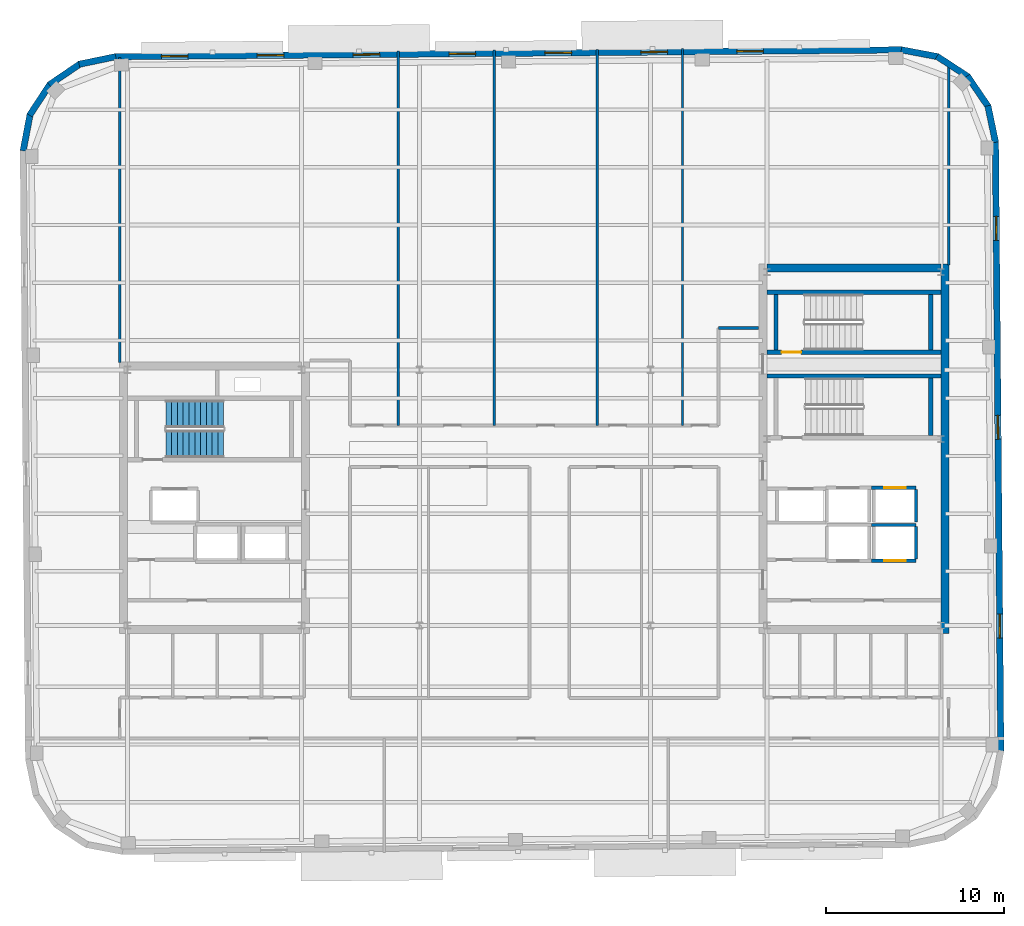
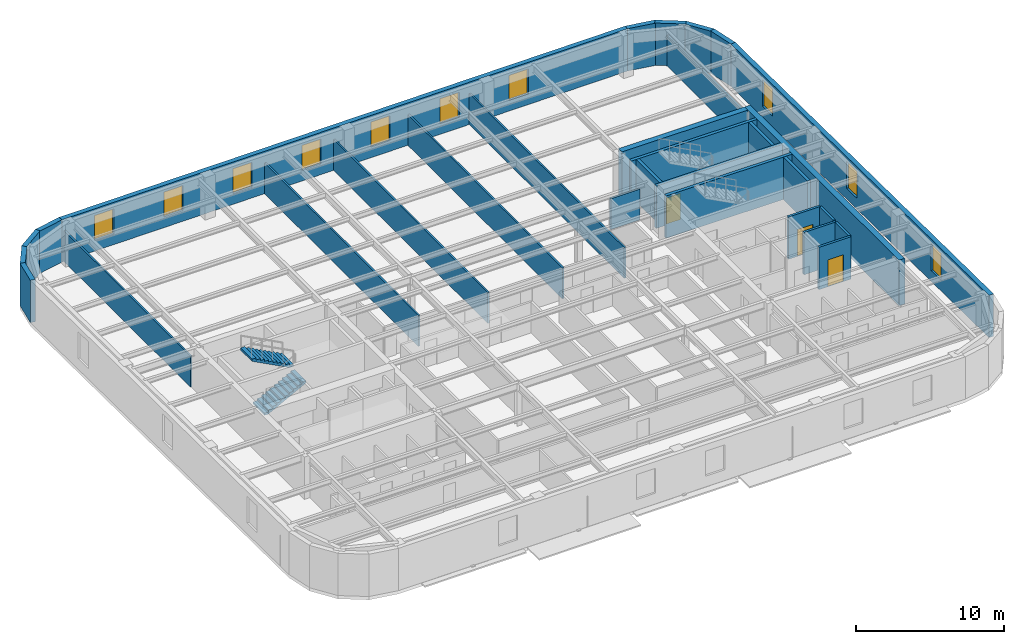
# One storey, part 9 of 13: 30 walls, 10 windows, 3 doors, 2 stair flights, 13 openings, 1 element without a shape of its own.
"""IFC4 building model written with IfcOpenShell, lengths in metres."""

import ifcopenshell
import ifcopenshell.guid

model = None  # the IFC model being written
_history = None  # IfcOwnerHistory: only IFC2X3 demands one
_inside = {}  # id of a spatial element -> (the spatial element, [elements in it])
_under = {}  # id of a project, library or spatial element -> (it, [spatial elements below it])
_declared = {}  # id of a project -> (the project, [libraries it declares])
_typed = {}  # id of a type object -> (the type object, [elements of that type])
_made_of = {}  # id of a material, layer set ... -> (it, [elements and type objects made of it])


def new_model(schema):
    """Start an empty IFC model of exactly this schema.

    Asked for "IFC4X3", IfcOpenShell would pick the latest addendum, in which some entities
    have other attributes; the version numbers below select the first issue.
    IFC2X3 requires an IfcOwnerHistory on every rooted entity: one is made here for all.
    """
    global model, _history
    if schema == "IFC4X3":
        model = ifcopenshell.file(schema_version=(4, 3, 0, 0))
    else:
        model = ifcopenshell.file(schema=schema)
    _inside.clear()
    _under.clear()
    _declared.clear()
    _typed.clear()
    _made_of.clear()
    _history = None
    if model.schema == "IFC2X3":
        org = make("IfcOrganization", Name="unknown")
        user = make(
            "IfcPersonAndOrganization",
            ThePerson=make("IfcPerson", FamilyName="unknown"),
            TheOrganization=org,
        )
        app = make(
            "IfcApplication",
            ApplicationDeveloper=org,
            Version="unknown",
            ApplicationFullName="unknown",
            ApplicationIdentifier="unknown",
        )
        _history = make(
            "IfcOwnerHistory",
            OwningUser=user,
            OwningApplication=app,
            ChangeAction="ADDED",
            CreationDate=0,
        )
    return model


def make(cls, **values):
    """One entity of the class cls with the attributes given. An attribute that is None is left unset."""
    return model.create_entity(
        cls, **{name: value for name, value in values.items() if value is not None}
    )


def rooted(cls, **values):
    """An entity with a GlobalId (a new one), such as an element, a storey or a relation."""
    return make(cls, GlobalId=ifcopenshell.guid.new(), OwnerHistory=_history, **values)


def si_unit(unit_type, name, prefix=None):
    """IfcSIUnit, for example si_unit("LENGTHUNIT", "METRE", prefix="MILLI")."""
    return make("IfcSIUnit", UnitType=unit_type, Prefix=prefix, Name=name)


def assignment(units):
    """IfcUnitAssignment: the units of a project."""
    return None if units is None else make("IfcUnitAssignment", Units=units)


def point(xyz):
    """IfcCartesianPoint."""
    return None if xyz is None else make("IfcCartesianPoint", Coordinates=xyz)


def direction(xyz):
    """IfcDirection."""
    return None if xyz is None else make("IfcDirection", DirectionRatios=xyz)


def frame(location, z_axis=None, x_axis=None):
    """IfcAxis2Placement3D, a coordinate frame: its origin and axes. An axis left out is left unset."""
    return make(
        "IfcAxis2Placement3D",
        Location=point(location),
        Axis=direction(z_axis),
        RefDirection=direction(x_axis),
    )


def frame_2d(location, x_axis=None):
    """IfcAxis2Placement2D, a coordinate frame in the plane: its origin and x axis."""
    return make(
        "IfcAxis2Placement2D", Location=point(location), RefDirection=direction(x_axis)
    )


def origin():
    """The frame at (0, 0, 0) with its axes left unset."""
    return frame((0.0, 0.0, 0.0))


def place(relative_to, where):
    """IfcLocalPlacement: puts the frame where relative to a parent placement (None: the world)."""
    return make(
        "IfcLocalPlacement", PlacementRelTo=relative_to, RelativePlacement=where
    )


def context(
    kind, dimensions, precision=None, world=None, true_north=None, identifier=None
):
    """IfcGeometricRepresentationContext, for example the 3D "Model" context."""
    return make(
        "IfcGeometricRepresentationContext",
        ContextIdentifier=identifier,
        ContextType=kind,
        CoordinateSpaceDimension=dimensions,
        Precision=precision,
        WorldCoordinateSystem=world,
        TrueNorth=true_north,
    )


def subcontext(parent, identifier, kind, view, scale=None):
    """IfcGeometricRepresentationSubContext, for example "Body" below "Model"."""
    return make(
        "IfcGeometricRepresentationSubContext",
        ContextIdentifier=identifier,
        ContextType=kind,
        ParentContext=parent,
        TargetScale=scale,
        TargetView=view,
    )


def project(units=None, contexts=None):
    """IfcProject with its units and contexts."""
    return rooted(
        "IfcProject",
        Name="project",
        RepresentationContexts=contexts,
        UnitsInContext=assignment(units),
    )


def spatial(cls, under=None, at=None, **own):
    """A site, building, storey or space (cls), placed at a placement, below another one or the project."""
    s = rooted(cls, ObjectPlacement=at, **own)
    if under is not None:
        _under.setdefault(under.id(), (under, []))[1].append(s)
    return s


def polyline(points):
    """IfcPolyline through the points."""
    return make("IfcPolyline", Points=[point(p) for p in points])


def profile(cls, at=None, kind="AREA", **sizes):
    """A parametric profile (cls). Its sizes go by their IFC names, for example OverallWidth=200.0."""
    return make(cls, ProfileType=kind, Position=at, **sizes)


def rectangle(**sizes):
    """IfcRectangleProfileDef."""
    return profile("IfcRectangleProfileDef", **sizes)


def outline(outer, holes=None, kind="AREA"):
    """IfcArbitraryClosedProfileDef: a profile drawn as a closed curve; with holes, ...WithVoids."""
    if holes is None:
        return make("IfcArbitraryClosedProfileDef", ProfileType=kind, OuterCurve=outer)
    return make(
        "IfcArbitraryProfileDefWithVoids",
        ProfileType=kind,
        OuterCurve=outer,
        InnerCurves=holes,
    )


def extrude(swept, where, along, depth):
    """IfcExtrudedAreaSolid: the profile swept, set in the frame where, extruded along a direction by depth."""
    return make(
        "IfcExtrudedAreaSolid",
        SweptArea=swept,
        Position=where,
        ExtrudedDirection=direction(along),
        Depth=depth,
    )


def shape(context_of_items, identifier, shape_type, items):
    """IfcShapeRepresentation: the items that make up one representation, for example the "Body"."""
    return make(
        "IfcShapeRepresentation",
        ContextOfItems=context_of_items,
        RepresentationIdentifier=identifier,
        RepresentationType=shape_type,
        Items=items,
    )


def material(Name=None, Category=None):
    """IfcMaterial."""
    return make("IfcMaterial", Name=Name, Category=Category)


def layer(
    of_material, thickness, ventilated=None, Name=None, Category=None, Priority=None
):
    """IfcMaterialLayer: one layer of a wall or slab, of a material (None: an air gap)."""
    return make(
        "IfcMaterialLayer",
        Material=of_material,
        LayerThickness=thickness,
        IsVentilated=ventilated,
        Name=Name,
        Category=Category,
        Priority=Priority,
    )


def layer_set(layers, Name=None):
    """IfcMaterialLayerSet."""
    return make("IfcMaterialLayerSet", MaterialLayers=layers, LayerSetName=Name)


def made_of(thing, what):
    """Note that an element or type object is made of a material, layer set ...; save() writes the relation."""
    if what is not None:
        _made_of.setdefault(what.id(), (what, []))[1].append(thing)
    return thing


def type_object(cls, material=None, **own):
    """A type object (cls), such as IfcWallType, which elements share."""
    return made_of(rooted(cls, **own), material)


def element(
    cls,
    number,
    at=None,
    inside=None,
    cuts=None,
    type_object=None,
    material=None,
    context=None,
    identifier="Body",
    shape_type=None,
    held_by="IfcProductDefinitionShape",
    body=None,
    shapes=None,
    **own,
):
    """One element of the class cls, such as IfcWall. Its Tag is "e" and its number.

    at: its placement. inside: the storey or other place that contains it. cuts: it is an
    opening in that element (IfcRelVoidsElement). A single representation is given by context,
    identifier, shape_type and body (its items); several are given by shapes. held_by: the class
    of the entity that holds the representations. save() writes the other relations.
    """
    e = rooted(cls, Tag="e%d" % number, ObjectPlacement=at, **own)
    if body is not None:
        shapes = [shape(context, identifier, shape_type, body)]
    if shapes is not None:
        e.Representation = make(held_by, Representations=shapes)
    if inside is not None:
        _inside.setdefault(inside.id(), (inside, []))[1].append(e)
    if cuts is not None:
        rooted(
            "IfcRelVoidsElement", RelatingBuildingElement=cuts, RelatedOpeningElement=e
        )
    if type_object is not None:
        _typed.setdefault(type_object.id(), (type_object, []))[1].append(e)
    return made_of(e, material)


def fill(opening, filler):
    """IfcRelFillsElement: the door or window that sits in an opening."""
    return rooted(
        "IfcRelFillsElement",
        RelatingOpeningElement=opening,
        RelatedBuildingElement=filler,
    )


def aggregate(whole, parts):
    """IfcRelAggregates: a whole, such as a stair, and the parts it consists of."""
    return rooted("IfcRelAggregates", RelatingObject=whole, RelatedObjects=parts)


def save(model, path):
    """Write the relations noted so far, then the file.

    IfcRelAggregates (storeys below a building ...), IfcRelContainedInSpatialStructure (elements
    in a storey), IfcRelDefinesByType, IfcRelAssociatesMaterial and IfcRelDeclares: one each for
    every whole, place, type object, material and project.
    """
    for whole, parts in _under.values():
        aggregate(whole, parts)
    for where, things in _inside.values():
        rooted(
            "IfcRelContainedInSpatialStructure",
            RelatedElements=things,
            RelatingStructure=where,
        )
    for kind, things in _typed.values():
        rooted("IfcRelDefinesByType", RelatedObjects=things, RelatingType=kind)
    for what, things in _made_of.values():
        rooted("IfcRelAssociatesMaterial", RelatedObjects=things, RelatingMaterial=what)
    for by, libraries in _declared.values():
        rooted("IfcRelDeclares", RelatingContext=by, RelatedDefinitions=libraries)
    model.write(path)


model = new_model("IFC4")

# Units and contexts
model_context = context("Model", 3, precision=1e-05, world=origin(), true_north=direction((0.0, 1.0)))
body_context = subcontext(model_context, "Body", "Model", "MODEL_VIEW")
ifc_project = project(units=[si_unit("LENGTHUNIT", "METRE"), si_unit("AREAUNIT", "SQUARE_METRE"), si_unit("VOLUMEUNIT", "CUBIC_METRE"), si_unit("PLANEANGLEUNIT", "RADIAN"), si_unit("MASSUNIT", "GRAM", prefix="KILO")], contexts=[model_context])

# Site, building, storey
site_placement = place(None, origin())
site = spatial("IfcSite", under=ifc_project, at=site_placement, CompositionType="ELEMENT")
building_placement = place(site_placement, origin())
building = spatial("IfcBuilding", under=site, at=building_placement, Name="Kolvaren Arena Tower", CompositionType="ELEMENT")
storey_placement = place(building_placement, frame((0.0, 0.0, 301.14990234375)))
storey = spatial("IfcBuildingStorey", under=building, at=storey_placement, Name="L74", CompositionType="ELEMENT", Elevation=301.14990234375)

# Walls
ifc_material_1 = material(Name="Gypsum board acoustic assembly", Category="gypsum")
ifc_layer_1 = layer(ifc_material_1, 0.159912109375)
ifc_layer_set_1 = layer_set([ifc_layer_1], Name="Gypsum board acoustic assembly")
wall_type_1 = type_object("IfcWallType", Name="CORR-160", PredefinedType="PARTITIONING", material=ifc_layer_set_1)
wall_1_placement = place(storey_placement, frame((47.820068359375, 36.199951171875, 0.0), z_axis=(0.0, 0.0, 1.0), x_axis=(1.0, 0.0, 0.0)))
element("IfcWall", 1, at=wall_1_placement, inside=storey, type_object=wall_type_1, Name="Interior Partition Wall (L74)", PredefinedType="PARTITIONING", context=body_context, shape_type="SweptSolid", body=[
    extrude(rectangle(XDim=2.260009765625, YDim=0.159912109375, at=frame_2d((1.1298828125, 0.0))), origin(), (0.0, 0.0, 1.0), 2.5400390625),
])
ifc_material_2 = material(Name="Concrete 55 MPa", Category="concrete")
ifc_layer_2 = layer(ifc_material_2, 0.449951171875)
ifc_layer_set_2 = layer_set([ifc_layer_2], Name="Concrete 55 MPa")
wall_type_2 = type_object("IfcWallType", Name="CWALL-450", PredefinedType="SHEAR", material=ifc_layer_set_2)
wall_2_placement = place(storey_placement, frame((60.574951171875, 19.0, -0.27001953125), z_axis=(0.0, 0.0, 1.0), x_axis=(0.0, 1.0, 0.0)))
element("IfcWall", 2, at=wall_2_placement, inside=storey, type_object=wall_type_2, Name="Core Shear Wall EC-EAST (L74)", PredefinedType="SHEAR", context=body_context, shape_type="SweptSolid", body=[
    extrude(rectangle(XDim=20.800048828125, YDim=0.449951171875, at=frame_2d((10.39990234375, 0.0))), origin(), (0.0, 0.0, 1.0), 3.75),
])
wall_3_placement = place(storey_placement, frame((50.550048828125, 39.574951171875, -0.27001953125), z_axis=(0.0, 0.0, 1.0), x_axis=(1.0, 0.0, 0.0)))
element("IfcWall", 3, at=wall_3_placement, inside=storey, type_object=wall_type_2, Name="Core Shear Wall EC-NORTH (L74)", PredefinedType="SHEAR", context=body_context, shape_type="SweptSolid", body=[
    extrude(rectangle(XDim=9.800048828125, YDim=0.449951171875, at=frame_2d((4.89990234375, 0.0))), origin(), (0.0, 0.0, 1.0), 3.75),
])

# Wall, openings, windows
ifc_material_3 = material(Name="Precast concrete C50/60", Category="concrete")
ifc_layer_3 = layer(ifc_material_3, 0.360107421875)
ifc_layer_set_3 = layer_set([ifc_layer_3], Name="Precast concrete C50/60")
wall_type_3 = type_object("IfcWallType", Name="EXT-PIER2", PredefinedType="SOLIDWALL", material=ifc_layer_set_3)
wall_4_placement = place(storey_placement, frame((63.419189453125, 46.688232421875, 0.0), z_axis=(0.0, 0.0, 1.0), x_axis=(0.008726391715, -0.999961924319, 0.0)))
wall_4 = element("IfcWall", 4, at=wall_4_placement, inside=storey, type_object=wall_type_3, Name="Exterior Precast Masonry-Frame Wall (L74)", PredefinedType="SOLIDWALL", context=body_context, shape_type="SweptSolid", body=[
    extrude(rectangle(XDim=34.300048828125, YDim=0.360107421875, at=frame_2d((17.14990234375, 0.0))), origin(), (0.0, 0.0, 1.0), 3.47998046875),
])
opening_1_placement = place(wall_4_placement, frame((4.199951171875, 0.0, 0.8798828125)))
opening_1 = element("IfcOpeningElement", 5, at=opening_1_placement, cuts=wall_4, Name="Opening W04", PredefinedType="OPENING", context=body_context, shape_type="SweptSolid", body=[
    extrude(rectangle(XDim=1.35009765625, YDim=2.199951171875, at=frame_2d((0.675048828125, 1.10009765625))), frame((0.0, 0.18994140625, 0.0), z_axis=(0.0, -1.0, 0.0), x_axis=(1.0, 0.0, 0.0)), (0.0, 0.0, 1.0), 0.380126953125),
])
opening_2_placement = place(wall_4_placement, frame((15.39990234375, 0.0, 0.8798828125)))
opening_2 = element("IfcOpeningElement", 6, at=opening_2_placement, cuts=wall_4, Name="Opening W04", PredefinedType="OPENING", context=body_context, shape_type="SweptSolid", body=[
    extrude(rectangle(XDim=1.35009765625, YDim=2.199951171875, at=frame_2d((0.675048828125, 1.10009765625))), frame((0.0, 0.18994140625, 0.0), z_axis=(0.0, -1.0, 0.0), x_axis=(1.0, 0.0, 0.0)), (0.0, 0.0, 1.0), 0.380126953125),
])
opening_3_placement = place(wall_4_placement, frame((26.60009765625, 0.0, 0.8798828125)))
opening_3 = element("IfcOpeningElement", 7, at=opening_3_placement, cuts=wall_4, Name="Opening W04", PredefinedType="OPENING", context=body_context, shape_type="SweptSolid", body=[
    extrude(rectangle(XDim=1.35009765625, YDim=2.199951171875, at=frame_2d((0.675048828125, 1.10009765625))), frame((0.0, 0.18994140625, 0.0), z_axis=(0.0, -1.0, 0.0), x_axis=(1.0, 0.0, 0.0)), (0.0, 0.0, 1.0), 0.380126953125),
])
ifc_material_4 = material(Name="Triple-glazed curved-facet corner window", Category="glass")
window_type_1 = type_object("IfcWindowType", Name="WIN-CRN-A", PartitioningType="SINGLE_PANEL", PredefinedType="WINDOW", material=ifc_material_4)
window_1_placement = place(opening_1_placement, origin())
window_1 = element("IfcWindow", 8, at=window_1_placement, inside=storey, type_object=window_type_1, Name="End-Wall Punched Window (L74)", OverallHeight=2.199951171875, OverallWidth=1.35009765625, PartitioningType="SINGLE_PANEL", PredefinedType="WINDOW", context=body_context, shape_type="SweptSolid", body=[
    extrude(rectangle(XDim=1.35009765625, YDim=2.199951171875, at=frame_2d((0.675048828125, 1.10009765625))), frame((0.0, 0.030029296875, 0.0), z_axis=(0.0, -1.0, 0.0), x_axis=(1.0, 0.0, 0.0)), (0.0, 0.0, 1.0), 0.06005859375),
])
fill(opening_1, window_1)
window_2_placement = place(opening_2_placement, origin())
window_2 = element("IfcWindow", 9, at=window_2_placement, inside=storey, type_object=window_type_1, Name="End-Wall Punched Window (L74)", OverallHeight=2.199951171875, OverallWidth=1.35009765625, PartitioningType="SINGLE_PANEL", PredefinedType="WINDOW", context=body_context, shape_type="SweptSolid", body=[
    extrude(rectangle(XDim=1.35009765625, YDim=2.199951171875, at=frame_2d((0.675048828125, 1.10009765625))), frame((0.0, 0.030029296875, 0.0), z_axis=(0.0, -1.0, 0.0), x_axis=(1.0, 0.0, 0.0)), (0.0, 0.0, 1.0), 0.06005859375),
])
fill(opening_2, window_2)
window_3_placement = place(opening_3_placement, origin())
window_3 = element("IfcWindow", 10, at=window_3_placement, inside=storey, type_object=window_type_1, Name="End-Wall Punched Window (L74)", OverallHeight=2.199951171875, OverallWidth=1.35009765625, PartitioningType="SINGLE_PANEL", PredefinedType="WINDOW", context=body_context, shape_type="SweptSolid", body=[
    extrude(rectangle(XDim=1.35009765625, YDim=2.199951171875, at=frame_2d((0.675048828125, 1.10009765625))), frame((0.0, 0.030029296875, 0.0), z_axis=(0.0, -1.0, 0.0), x_axis=(1.0, 0.0, 0.0)), (0.0, 0.0, 1.0), 0.06005859375),
])
fill(opening_3, window_3)

# Walls
for number, where, z_axis, x_axis, name in (
    (11, (62.993896484375, 48.7158203125, 0.0), (0.0, 0.0, 1.0), (0.203709000552, -0.979031482177, 0.0), "Exterior Precast Masonry-Frame Wall (L74)"),
    (12, (61.835693359375, 50.392822265625, 0.0), (0.0, 0.0, 1.0), (0.562829722645, -0.826572866302, 0.0), "Exterior Precast Masonry-Frame Wall (L74)"),
):
    element("IfcWall", number, at=place(storey_placement, frame(where, z_axis=z_axis, x_axis=x_axis)), inside=storey, type_object=wall_type_3, Name=name, PredefinedType="SOLIDWALL", context=body_context, shape_type="SweptSolid", body=[
        extrude(rectangle(XDim=2.10693359375, YDim=0.360107421875, at=frame_2d((1.053466796875, 0.0))), origin(), (0.0, 0.0, 1.0), 3.47998046875),
    ])
for number, where, z_axis, x_axis, name in (
    (13, (60.123779296875, 51.498779296875, 0.0), (0.0, 0.0, 1.0), (0.83632188969, -0.548238722478, 0.0), "Exterior Precast Masonry-Frame Wall (L74)"),
    (14, (58.118896484375, 51.865478515625, 0.0), (0.0, 0.0, 1.0), (0.982463107022, -0.186457081764, 0.0), "Exterior Precast Masonry-Frame Wall (L74)"),
):
    element("IfcWall", number, at=place(storey_placement, frame(where, z_axis=z_axis, x_axis=x_axis)), inside=storey, type_object=wall_type_3, Name=name, PredefinedType="SOLIDWALL", context=body_context, shape_type="SweptSolid", body=[
        extrude(rectangle(XDim=2.106689453125, YDim=0.360107421875, at=frame_2d((1.05322265625, 0.0))), origin(), (0.0, 0.0, 1.0), 3.47998046875),
    ])

# Wall, openings, windows
wall_5_placement = place(storey_placement, frame((13.855712890625, 51.475830078125, 0.0), z_axis=(0.0, 0.0, 1.0), x_axis=(0.999961944954, 0.008724026757, 0.0)))
wall_5 = element("IfcWall", 15, at=wall_5_placement, inside=storey, type_object=wall_type_3, Name="Exterior Precast Masonry-Frame Wall (L74)", PredefinedType="SOLIDWALL", context=body_context, shape_type="SweptSolid", body=[
    extrude(rectangle(XDim=44.300048828125, YDim=0.360107421875, at=frame_2d((22.14990234375, 0.0))), origin(), (0.0, 0.0, 1.0), 3.47998046875),
])
opening_4_placement = place(wall_5_placement, frame((2.60009765625, 0.0, 0.8798828125)))
opening_4 = element("IfcOpeningElement", 16, at=opening_4_placement, cuts=wall_5, Name="Opening W03", PredefinedType="OPENING", context=body_context, shape_type="SweptSolid", body=[
    extrude(rectangle(XDim=1.5, YDim=2.050048828125, at=frame_2d((0.75, 1.02490234375))), frame((0.0, 0.18994140625, 0.0), z_axis=(0.0, -1.0, 0.0), x_axis=(1.0, 0.0, 0.0)), (0.0, 0.0, 1.0), 0.380126953125),
])
opening_5_placement = place(wall_5_placement, frame((8.0, 0.0, 0.8798828125)))
opening_5 = element("IfcOpeningElement", 17, at=opening_5_placement, cuts=wall_5, Name="Opening W03", PredefinedType="OPENING", context=body_context, shape_type="SweptSolid", body=[
    extrude(rectangle(XDim=1.5, YDim=2.050048828125, at=frame_2d((0.75, 1.02490234375))), frame((0.0, 0.18994140625, 0.0), z_axis=(0.0, -1.0, 0.0), x_axis=(1.0, 0.0, 0.0)), (0.0, 0.0, 1.0), 0.380126953125),
])
opening_6_placement = place(wall_5_placement, frame((13.39990234375, 0.0, 0.8798828125)))
opening_6 = element("IfcOpeningElement", 18, at=opening_6_placement, cuts=wall_5, Name="Opening W03", PredefinedType="OPENING", context=body_context, shape_type="SweptSolid", body=[
    extrude(rectangle(XDim=1.5, YDim=2.050048828125, at=frame_2d((0.75, 1.02490234375))), frame((0.0, 0.18994140625, 0.0), z_axis=(0.0, -1.0, 0.0), x_axis=(1.0, 0.0, 0.0)), (0.0, 0.0, 1.0), 0.380126953125),
])
opening_7_placement = place(wall_5_placement, frame((18.800048828125, 0.0, 0.8798828125)))
opening_7 = element("IfcOpeningElement", 19, at=opening_7_placement, cuts=wall_5, Name="Opening W03", PredefinedType="OPENING", context=body_context, shape_type="SweptSolid", body=[
    extrude(rectangle(XDim=1.5, YDim=2.050048828125, at=frame_2d((0.75, 1.02490234375))), frame((0.0, 0.18994140625, 0.0), z_axis=(0.0, -1.0, 0.0), x_axis=(1.0, 0.0, 0.0)), (0.0, 0.0, 1.0), 0.380126953125),
])
opening_8_placement = place(wall_5_placement, frame((24.199951171875, 0.0, 0.8798828125)))
opening_8 = element("IfcOpeningElement", 20, at=opening_8_placement, cuts=wall_5, Name="Opening W03", PredefinedType="OPENING", context=body_context, shape_type="SweptSolid", body=[
    extrude(rectangle(XDim=1.5, YDim=2.050048828125, at=frame_2d((0.75, 1.02490234375))), frame((0.0, 0.18994140625, 0.0), z_axis=(0.0, -1.0, 0.0), x_axis=(1.0, 0.0, 0.0)), (0.0, 0.0, 1.0), 0.380126953125),
])
opening_9_placement = place(wall_5_placement, frame((29.60009765625, 0.0, 0.8798828125)))
opening_9 = element("IfcOpeningElement", 21, at=opening_9_placement, cuts=wall_5, Name="Opening W03", PredefinedType="OPENING", context=body_context, shape_type="SweptSolid", body=[
    extrude(rectangle(XDim=1.5, YDim=2.050048828125, at=frame_2d((0.75, 1.02490234375))), frame((0.0, 0.18994140625, 0.0), z_axis=(0.0, -1.0, 0.0), x_axis=(1.0, 0.0, 0.0)), (0.0, 0.0, 1.0), 0.380126953125),
])
opening_10_placement = place(wall_5_placement, frame((35.0, 0.0, 0.8798828125)))
opening_10 = element("IfcOpeningElement", 22, at=opening_10_placement, cuts=wall_5, Name="Opening W03", PredefinedType="OPENING", context=body_context, shape_type="SweptSolid", body=[
    extrude(rectangle(XDim=1.5, YDim=2.050048828125, at=frame_2d((0.75, 1.02490234375))), frame((0.0, 0.18994140625, 0.0), z_axis=(0.0, -1.0, 0.0), x_axis=(1.0, 0.0, 0.0)), (0.0, 0.0, 1.0), 0.380126953125),
])
ifc_material_5 = material(Name="Triple-glazed low-E aluminium window", Category="aluminium")
window_type_2 = type_object("IfcWindowType", Name="WIN-OFF-C", PartitioningType="SINGLE_PANEL", PredefinedType="WINDOW", material=ifc_material_5)
window_4_placement = place(opening_4_placement, origin())
window_4 = element("IfcWindow", 23, at=window_4_placement, inside=storey, type_object=window_type_2, Name="Punched Precast-Pier Window (L74)", OverallHeight=2.050048828125, OverallWidth=1.5, PartitioningType="SINGLE_PANEL", PredefinedType="WINDOW", context=body_context, shape_type="SweptSolid", body=[
    extrude(rectangle(XDim=1.5, YDim=2.050048828125, at=frame_2d((0.75, 1.02490234375))), frame((0.0, 0.030029296875, 0.0), z_axis=(0.0, -1.0, 0.0), x_axis=(1.0, 0.0, 0.0)), (0.0, 0.0, 1.0), 0.06005859375),
])
fill(opening_4, window_4)
window_5_placement = place(opening_5_placement, origin())
window_5 = element("IfcWindow", 24, at=window_5_placement, inside=storey, type_object=window_type_2, Name="Punched Precast-Pier Window (L74)", OverallHeight=2.050048828125, OverallWidth=1.5, PartitioningType="SINGLE_PANEL", PredefinedType="WINDOW", context=body_context, shape_type="SweptSolid", body=[
    extrude(rectangle(XDim=1.5, YDim=2.050048828125, at=frame_2d((0.75, 1.02490234375))), frame((0.0, 0.030029296875, 0.0), z_axis=(0.0, -1.0, 0.0), x_axis=(1.0, 0.0, 0.0)), (0.0, 0.0, 1.0), 0.06005859375),
])
fill(opening_5, window_5)
window_6_placement = place(opening_6_placement, origin())
window_6 = element("IfcWindow", 25, at=window_6_placement, inside=storey, type_object=window_type_2, Name="Punched Precast-Pier Window (L74)", OverallHeight=2.050048828125, OverallWidth=1.5, PartitioningType="SINGLE_PANEL", PredefinedType="WINDOW", context=body_context, shape_type="SweptSolid", body=[
    extrude(rectangle(XDim=1.5, YDim=2.050048828125, at=frame_2d((0.75, 1.02490234375))), frame((0.0, 0.030029296875, 0.0), z_axis=(0.0, -1.0, 0.0), x_axis=(1.0, 0.0, 0.0)), (0.0, 0.0, 1.0), 0.06005859375),
])
fill(opening_6, window_6)
window_7_placement = place(opening_7_placement, origin())
window_7 = element("IfcWindow", 26, at=window_7_placement, inside=storey, type_object=window_type_2, Name="Punched Precast-Pier Window (L74)", OverallHeight=2.050048828125, OverallWidth=1.5, PartitioningType="SINGLE_PANEL", PredefinedType="WINDOW", context=body_context, shape_type="SweptSolid", body=[
    extrude(rectangle(XDim=1.5, YDim=2.050048828125, at=frame_2d((0.75, 1.02490234375))), frame((0.0, 0.030029296875, 0.0), z_axis=(0.0, -1.0, 0.0), x_axis=(1.0, 0.0, 0.0)), (0.0, 0.0, 1.0), 0.06005859375),
])
fill(opening_7, window_7)
window_8_placement = place(opening_8_placement, origin())
window_8 = element("IfcWindow", 27, at=window_8_placement, inside=storey, type_object=window_type_2, Name="Punched Precast-Pier Window (L74)", OverallHeight=2.050048828125, OverallWidth=1.5, PartitioningType="SINGLE_PANEL", PredefinedType="WINDOW", context=body_context, shape_type="SweptSolid", body=[
    extrude(rectangle(XDim=1.5, YDim=2.050048828125, at=frame_2d((0.75, 1.02490234375))), frame((0.0, 0.030029296875, 0.0), z_axis=(0.0, -1.0, 0.0), x_axis=(1.0, 0.0, 0.0)), (0.0, 0.0, 1.0), 0.06005859375),
])
fill(opening_8, window_8)
window_9_placement = place(opening_9_placement, origin())
window_9 = element("IfcWindow", 28, at=window_9_placement, inside=storey, type_object=window_type_2, Name="Punched Precast-Pier Window (L74)", OverallHeight=2.050048828125, OverallWidth=1.5, PartitioningType="SINGLE_PANEL", PredefinedType="WINDOW", context=body_context, shape_type="SweptSolid", body=[
    extrude(rectangle(XDim=1.5, YDim=2.050048828125, at=frame_2d((0.75, 1.02490234375))), frame((0.0, 0.030029296875, 0.0), z_axis=(0.0, -1.0, 0.0), x_axis=(1.0, 0.0, 0.0)), (0.0, 0.0, 1.0), 0.06005859375),
])
fill(opening_9, window_9)
window_10_placement = place(opening_10_placement, origin())
window_10 = element("IfcWindow", 29, at=window_10_placement, inside=storey, type_object=window_type_2, Name="Punched Precast-Pier Window (L74)", OverallHeight=2.050048828125, OverallWidth=1.5, PartitioningType="SINGLE_PANEL", PredefinedType="WINDOW", context=body_context, shape_type="SweptSolid", body=[
    extrude(rectangle(XDim=1.5, YDim=2.050048828125, at=frame_2d((0.75, 1.02490234375))), frame((0.0, 0.030029296875, 0.0), z_axis=(0.0, -1.0, 0.0), x_axis=(1.0, 0.0, 0.0)), (0.0, 0.0, 1.0), 0.06005859375),
])
fill(opening_10, window_10)

# Walls
for number, where, z_axis, x_axis, name in (
    (30, (11.827880859375, 51.050537109375, 0.0), (0.0, 0.0, 1.0), (0.97905458633, 0.203597929717, 0.0), "Exterior Precast Masonry-Frame Wall (L74)"),
    (31, (10.15087890625, 49.89208984375, 0.0), (0.0, 0.0, 1.0), (0.826609569219, 0.56277581689, 0.0), "Exterior Precast Masonry-Frame Wall (L74)"),
):
    element("IfcWall", number, at=place(storey_placement, frame(where, z_axis=z_axis, x_axis=x_axis)), inside=storey, type_object=wall_type_3, Name=name, PredefinedType="SOLIDWALL", context=body_context, shape_type="SweptSolid", body=[
        extrude(rectangle(XDim=2.10693359375, YDim=0.360107421875, at=frame_2d((1.053466796875, 0.0))), origin(), (0.0, 0.0, 1.0), 3.47998046875),
    ])
for number, where, z_axis, x_axis, name in (
    (32, (9.044921875, 48.18017578125, 0.0), (0.0, 0.0, 1.0), (0.548266637224, 0.836303589916, 0.0), "Exterior Precast Masonry-Frame Wall (L74)"),
    (33, (8.67822265625, 46.17529296875, 0.0), (0.0, 0.0, 1.0), (0.186547695246, 0.982445905584, 0.0), "Exterior Precast Masonry-Frame Wall (L74)"),
):
    element("IfcWall", number, at=place(storey_placement, frame(where, z_axis=z_axis, x_axis=x_axis)), inside=storey, type_object=wall_type_3, Name=name, PredefinedType="SOLIDWALL", context=body_context, shape_type="SweptSolid", body=[
        extrude(rectangle(XDim=2.107177734375, YDim=0.360107421875, at=frame_2d((1.0537109375, 0.0))), origin(), (0.0, 0.0, 1.0), 3.47998046875),
    ])
ifc_material_6 = material(Name="Gypsum board partition assembly", Category="gypsum")
ifc_layer_4 = layer(ifc_material_6, 0.135009765625)
ifc_layer_set_4 = layer_set([ifc_layer_4], Name="Gypsum board partition assembly")
wall_type_4 = type_object("IfcWallType", Name="PART-135", PredefinedType="PARTITIONING", material=ifc_layer_set_4)
wall_6_placement = place(storey_placement, frame((29.800048828125, 30.719970703125, 0.0), z_axis=(0.0, 0.0, 1.0), x_axis=(0.0, 1.0, 0.0)))
element("IfcWall", 34, at=wall_6_placement, inside=storey, type_object=wall_type_4, Name="Interior Partition Wall (L74)", PredefinedType="PARTITIONING", context=body_context, shape_type="SweptSolid", body=[
    extrude(rectangle(XDim=21.074951171875, YDim=0.135009765625, at=frame_2d((10.53759765625, 0.0))), origin(), (0.0, 0.0, 1.0), 2.5400390625),
])
wall_7_placement = place(storey_placement, frame((35.199951171875, 30.719970703125, 0.0), z_axis=(0.0, 0.0, 1.0), x_axis=(0.0, 1.0, 0.0)))
element("IfcWall", 35, at=wall_7_placement, inside=storey, type_object=wall_type_4, Name="Interior Partition Wall (L74)", PredefinedType="PARTITIONING", context=body_context, shape_type="SweptSolid", body=[
    extrude(rectangle(XDim=21.1220703125, YDim=0.135009765625, at=frame_2d((10.56103515625, 0.0))), origin(), (0.0, 0.0, 1.0), 2.5400390625),
])
wall_8_placement = place(storey_placement, frame((41.0, 30.719970703125, 0.0), z_axis=(0.0, 0.0, 1.0), x_axis=(0.0, 1.0, 0.0)))
element("IfcWall", 36, at=wall_8_placement, inside=storey, type_object=wall_type_4, Name="Interior Partition Wall (L74)", PredefinedType="PARTITIONING", context=body_context, shape_type="SweptSolid", body=[
    extrude(rectangle(XDim=21.172607421875, YDim=0.135009765625, at=frame_2d((10.58642578125, 0.0))), origin(), (0.0, 0.0, 1.0), 2.5400390625),
])
wall_9_placement = place(storey_placement, frame((45.800048828125, 30.719970703125, 0.0), z_axis=(0.0, 0.0, 1.0), x_axis=(0.0, 1.0, 0.0)))
element("IfcWall", 37, at=wall_9_placement, inside=storey, type_object=wall_type_4, Name="Interior Partition Wall (L74)", PredefinedType="PARTITIONING", context=body_context, shape_type="SweptSolid", body=[
    extrude(rectangle(XDim=21.214599609375, YDim=0.135009765625, at=frame_2d((10.607421875, 0.0))), origin(), (0.0, 0.0, 1.0), 2.5400390625),
])
wall_10_placement = place(storey_placement, frame((14.1201171875, 34.25, 0.0), z_axis=(0.0, 0.0, 1.0), x_axis=(0.0, 1.0, 0.0)))
element("IfcWall", 38, at=wall_10_placement, inside=storey, type_object=wall_type_4, Name="Interior Partition Wall (L74)", PredefinedType="PARTITIONING", context=body_context, shape_type="SweptSolid", body=[
    extrude(rectangle(XDim=17.168212890625, YDim=0.135009765625, at=frame_2d((8.583984375, 0.0))), origin(), (0.0, 0.0, 1.0), 2.5400390625),
])
wall_11_placement = place(storey_placement, frame((60.780029296875, 39.75, 0.0), z_axis=(0.0, 0.0, 1.0), x_axis=(0.0, 1.0, 0.0)))
element("IfcWall", 39, at=wall_11_placement, inside=storey, type_object=wall_type_4, Name="Interior Partition Wall (L74)", PredefinedType="PARTITIONING", context=body_context, shape_type="SweptSolid", body=[
    extrude(rectangle(XDim=11.246826171875, YDim=0.135009765625, at=frame_2d((5.62353515625, 0.0))), origin(), (0.0, 0.0, 1.0), 2.5400390625),
])
ifc_material_7 = material(Name="Concrete 45 MPa", Category="concrete")
ifc_layer_5 = layer(ifc_material_7, 0.25)
ifc_layer_set_5 = layer_set([ifc_layer_5], Name="Concrete 45 MPa")
wall_type_5 = type_object("IfcWallType", Name="SHAFT-250", PredefinedType="SOLIDWALL", material=ifc_layer_set_5)
wall_12_placement = place(storey_placement, frame((50.550048828125, 33.5, 0.0), z_axis=(0.0, 0.0, 1.0), x_axis=(1.0, 0.0, 0.0)))
element("IfcWall", 40, at=wall_12_placement, inside=storey, type_object=wall_type_5, Name="Core Shaft Wall (L74)", PredefinedType="SOLIDWALL", context=body_context, shape_type="SweptSolid", body=[
    extrude(rectangle(XDim=9.800048828125, YDim=0.239990234375, at=frame_2d((4.89990234375, 0.0))), origin(), (0.0, 0.0, 1.0), 3.47998046875),
])
wall_13_placement = place(storey_placement, frame((59.780029296875, 30.14990234375, 0.0), z_axis=(0.0, 0.0, 1.0), x_axis=(0.0, 1.0, 0.0)))
element("IfcWall", 41, at=wall_13_placement, inside=storey, type_object=wall_type_5, Name="Core Shaft Wall (L74)", PredefinedType="SOLIDWALL", context=body_context, shape_type="SweptSolid", body=[
    extrude(rectangle(XDim=3.22998046875, YDim=0.239990234375, at=frame_2d((1.614990234375, 0.0))), origin(), (0.0, 0.0, 1.0), 3.47998046875),
])

# Wall, opening, door
wall_14_placement = place(storey_placement, frame((60.35009765625, 34.830078125, 0.0), z_axis=(0.0, 0.0, 1.0), x_axis=(-1.0, 0.0, 0.0)))
wall_14 = element("IfcWall", 42, at=wall_14_placement, inside=storey, type_object=wall_type_5, Name="Core Shaft Wall (L74)", PredefinedType="SOLIDWALL", context=body_context, shape_type="SweptSolid", body=[
    extrude(rectangle(XDim=9.800048828125, YDim=0.239990234375, at=frame_2d((4.89990234375, 0.0))), origin(), (0.0, 0.0, 1.0), 3.47998046875),
])
opening_11_placement = place(wall_14_placement, frame((7.8701171875, 0.0, 0.0)))
opening_11 = element("IfcOpeningElement", 43, at=opening_11_placement, cuts=wall_14, Name="Opening D03", PredefinedType="OPENING", context=body_context, shape_type="SweptSolid", body=[
    extrude(rectangle(XDim=1.10009765625, YDim=2.14990234375, at=frame_2d((0.550048828125, 1.074951171875))), frame((0.0, 0.1298828125, 0.0), z_axis=(0.0, -1.0, 0.0), x_axis=(1.0, 0.0, 0.0)), (0.0, 0.0, 1.0), 0.260009765625),
])
ifc_material_8 = material(Name="Fire-rated steel exit stair door", Category="steel")
door_type_1 = type_object("IfcDoorType", Name="DOOR-ST-110", OperationType="NOTDEFINED", PredefinedType="DOOR", material=ifc_material_8)
door_1_placement = place(opening_11_placement, origin())
door_1 = element("IfcDoor", 44, at=door_1_placement, inside=storey, type_object=door_type_1, Name="Stair ST-E2 Fire Door (L74)", OperationType="SINGLE_SWING_LEFT", OverallHeight=2.14990234375, OverallWidth=1.10009765625, PredefinedType="DOOR", context=body_context, shape_type="SweptSolid", body=[
    extrude(rectangle(XDim=1.10009765625, YDim=2.14990234375, at=frame_2d((0.550048828125, 1.074951171875))), frame((0.0, 0.02490234375, 0.0), z_axis=(0.0, -1.0, 0.0), x_axis=(1.0, 0.0, 0.0)), (0.0, 0.0, 1.0), 0.050048828125),
])
fill(opening_11, door_1)

# Walls
wall_15_placement = place(storey_placement, frame((50.550048828125, 38.219970703125, 0.0), z_axis=(0.0, 0.0, 1.0), x_axis=(1.0, 0.0, 0.0)))
element("IfcWall", 45, at=wall_15_placement, inside=storey, type_object=wall_type_5, Name="Core Shaft Wall (L74)", PredefinedType="SOLIDWALL", context=body_context, shape_type="SweptSolid", body=[
    extrude(rectangle(XDim=9.800048828125, YDim=0.239990234375, at=frame_2d((4.89990234375, 0.0))), origin(), (0.0, 0.0, 1.0), 3.47998046875),
])
for number, where, z_axis, x_axis, name in (
    (46, (51.06005859375, 34.949951171875, 0.0), (0.0, 0.0, 1.0), (0.0, 1.0, 0.0), "Core Shaft Wall (L74)"),
    (47, (59.780029296875, 34.949951171875, 0.0), (0.0, 0.0, 1.0), (0.0, 1.0, 0.0), "Core Shaft Wall (L74)"),
):
    element("IfcWall", number, at=place(storey_placement, frame(where, z_axis=z_axis, x_axis=x_axis)), inside=storey, type_object=wall_type_5, Name=name, PredefinedType="SOLIDWALL", context=body_context, shape_type="SweptSolid", body=[
        extrude(rectangle(XDim=3.150146484375, YDim=0.239990234375, at=frame_2d((1.5751953125, 0.0))), origin(), (0.0, 0.0, 1.0), 3.47998046875),
    ])
wall_16_placement = place(storey_placement, frame((56.43994140625, 25.10498046875, 0.0), z_axis=(0.0, 0.0, 1.0), x_axis=(1.0, 0.0, 0.0)))
element("IfcWall", 48, at=wall_16_placement, inside=storey, type_object=wall_type_5, Name="Core Shaft Wall (L74)", PredefinedType="SOLIDWALL", context=body_context, shape_type="SweptSolid", body=[
    extrude(rectangle(XDim=2.5, YDim=0.179931640625, at=frame_2d((1.25, 0.0))), origin(), (0.0, 0.0, 1.0), 3.47998046875),
])

# Wall, opening, door
wall_17_placement = place(storey_placement, frame((56.43994140625, 23.094970703125, 0.0), z_axis=(0.0, 0.0, 1.0), x_axis=(1.0, 0.0, 0.0)))
wall_17 = element("IfcWall", 49, at=wall_17_placement, inside=storey, type_object=wall_type_5, Name="Core Shaft Wall (L74)", PredefinedType="SOLIDWALL", context=body_context, shape_type="SweptSolid", body=[
    extrude(rectangle(XDim=2.5, YDim=0.179931640625, at=frame_2d((1.25, 0.0))), origin(), (0.0, 0.0, 1.0), 3.47998046875),
])
opening_12_placement = place(wall_17_placement, frame((0.719970703125, 0.0, 0.0)))
opening_12 = element("IfcOpeningElement", 50, at=opening_12_placement, cuts=wall_17, Name="Opening LD1", PredefinedType="OPENING", context=body_context, shape_type="SweptSolid", body=[
    extrude(rectangle(XDim=1.199951171875, YDim=2.199951171875, at=frame_2d((0.60009765625, 1.10009765625))), frame((0.0, 0.099853515625, 0.0), z_axis=(0.0, -1.0, 0.0), x_axis=(1.0, 0.0, 0.0)), (0.0, 0.0, 1.0), 0.199951171875),
])
ifc_material_9 = material(Name="Stainless steel passenger lift landing door", Category="steel")
door_type_2 = type_object("IfcDoorType", Name="DOOR-LD-120", OperationType="DOUBLE_DOOR_SLIDING", PredefinedType="DOOR", material=ifc_material_9)
door_2_placement = place(opening_12_placement, origin())
door_2 = element("IfcDoor", 51, at=door_2_placement, inside=storey, type_object=door_type_2, Name="Lift EL-HR2 Landing Door (L74)", OperationType="DOUBLE_DOOR_SLIDING", OverallHeight=2.199951171875, OverallWidth=1.199951171875, PredefinedType="DOOR", context=body_context, shape_type="SweptSolid", body=[
    extrude(rectangle(XDim=1.199951171875, YDim=2.199951171875, at=frame_2d((0.60009765625, 1.10009765625))), frame((0.0, 0.02490234375, 0.0), z_axis=(0.0, -1.0, 0.0), x_axis=(1.0, 0.0, 0.0)), (0.0, 0.0, 1.0), 0.050048828125),
])
fill(opening_12, door_2)

# Wall
wall_18_placement = place(storey_placement, frame((58.93994140625, 23.18505859375, 0.0), z_axis=(0.0, 0.0, 1.0), x_axis=(0.0, 1.0, 0.0)))
element("IfcWall", 52, at=wall_18_placement, inside=storey, type_object=wall_type_5, Name="Core Shaft Wall (L74)", PredefinedType="SOLIDWALL", context=body_context, shape_type="SweptSolid", body=[
    extrude(rectangle(XDim=1.829833984375, YDim=0.179931640625, at=frame_2d((0.9150390625, 0.0))), origin(), (0.0, 0.0, 1.0), 3.47998046875),
])

# Wall, opening, door
wall_19_placement = place(storey_placement, frame((56.43994140625, 27.205078125, 0.0), z_axis=(0.0, 0.0, 1.0), x_axis=(1.0, 0.0, 0.0)))
wall_19 = element("IfcWall", 53, at=wall_19_placement, inside=storey, type_object=wall_type_5, Name="Core Shaft Wall (L74)", PredefinedType="SOLIDWALL", context=body_context, shape_type="SweptSolid", body=[
    extrude(rectangle(XDim=2.5, YDim=0.179931640625, at=frame_2d((1.25, 0.0))), origin(), (0.0, 0.0, 1.0), 3.47998046875),
])
opening_13_placement = place(wall_19_placement, frame((0.719970703125, 0.0, 0.0)))
opening_13 = element("IfcOpeningElement", 54, at=opening_13_placement, cuts=wall_19, Name="Opening LD1", PredefinedType="OPENING", context=body_context, shape_type="SweptSolid", body=[
    extrude(rectangle(XDim=1.199951171875, YDim=2.199951171875, at=frame_2d((0.60009765625, 1.10009765625))), frame((0.0, 0.099853515625, 0.0), z_axis=(0.0, -1.0, 0.0), x_axis=(1.0, 0.0, 0.0)), (0.0, 0.0, 1.0), 0.199951171875),
])
door_3_placement = place(opening_13_placement, origin())
door_3 = element("IfcDoor", 55, at=door_3_placement, inside=storey, type_object=door_type_2, Name="Lift EL-HR4 Landing Door (L74)", OperationType="DOUBLE_DOOR_SLIDING", OverallHeight=2.199951171875, OverallWidth=1.199951171875, PredefinedType="DOOR", context=body_context, shape_type="SweptSolid", body=[
    extrude(rectangle(XDim=1.199951171875, YDim=2.199951171875, at=frame_2d((0.60009765625, 1.10009765625))), frame((0.0, 0.02490234375, 0.0), z_axis=(0.0, -1.0, 0.0), x_axis=(1.0, 0.0, 0.0)), (0.0, 0.0, 1.0), 0.050048828125),
])
fill(opening_13, door_3)

# Wall
wall_20_placement = place(storey_placement, frame((58.93994140625, 25.284912109375, 0.0), z_axis=(0.0, 0.0, 1.0), x_axis=(0.0, 1.0, 0.0)))
element("IfcWall", 56, at=wall_20_placement, inside=storey, type_object=wall_type_5, Name="Core Shaft Wall (L74)", PredefinedType="SOLIDWALL", context=body_context, shape_type="SweptSolid", body=[
    extrude(rectangle(XDim=1.830078125, YDim=0.179931640625, at=frame_2d((0.9150390625, 0.0))), origin(), (0.0, 0.0, 1.0), 3.47998046875),
])

# Stair, stair flights
stair_type = type_object("IfcStairType", Name="STAIR-CORE-165", PredefinedType="HALF_TURN_STAIR", material=ifc_material_7)
stair_placement = place(storey_placement, origin())
stair = element("IfcStair", 57, at=stair_placement, inside=storey, type_object=stair_type, Name="L74 ST-W1", PredefinedType="HALF_TURN_STAIR")
stair_flight_type = type_object("IfcStairFlightType", Name="FLT-165", PredefinedType="STRAIGHT", material=ifc_material_7)
stair_flight_1_placement = place(storey_placement, frame((16.719970703125, 29.669921875, 0.0), z_axis=(0.0, 0.0, 1.0), x_axis=(1.0, 0.0, 0.0)))
stair_flight_1 = element("IfcStairFlight", 58, at=stair_flight_1_placement, type_object=stair_flight_type, Name="ST-W1 flight 1", NumberOfRisers=11, NumberOfTreads=10, PredefinedType="STRAIGHT", RiserHeight=0.170454545, TreadLength=0.324, context=body_context, shape_type="SweptSolid", body=[
    extrude(outline(polyline([(0.0, 0.0), (0.0, 0.17041015625), (0.323974609375, 0.17041015625), (0.323974609375, 0.3408203125), (0.64794921875, 0.3408203125), (0.64794921875, 0.511474609375), (0.971923828125, 0.511474609375), (0.971923828125, 0.681884765625), (1.2958984375, 0.681884765625), (1.2958984375, 0.852294921875), (1.6201171875, 0.852294921875), (1.6201171875, 1.022705078125), (1.944091796875, 1.022705078125), (1.944091796875, 1.193115234375), (2.26806640625, 1.193115234375), (2.26806640625, 1.363525390625), (2.592041015625, 1.363525390625), (2.592041015625, 1.5341796875), (2.916015625, 1.5341796875), (2.916015625, 1.70458984375), (3.239990234375, 1.70458984375), (3.239990234375, 1.875), (3.239990234375, 1.53515625), (0.322021484375, 0.0), (0.0, 0.0)])), frame((0.0, 0.77001953125, 0.0), z_axis=(0.0, -1.0, 0.0), x_axis=(1.0, 0.0, 0.0)), (0.0, 0.0, 1.0), 1.5400390625),
])
stair_flight_2_placement = place(storey_placement, frame((19.9599609375, 31.360107421875, 1.875), z_axis=(0.0, 0.0, 1.0), x_axis=(-1.0, 0.0, 0.0)))
stair_flight_2 = element("IfcStairFlight", 59, at=stair_flight_2_placement, type_object=stair_flight_type, Name="ST-W1 flight 2", NumberOfRisers=11, NumberOfTreads=10, PredefinedType="STRAIGHT", RiserHeight=0.170454545, TreadLength=0.324, context=body_context, shape_type="SweptSolid", body=[
    extrude(outline(polyline([(0.0, 0.0), (0.0, 0.17041015625), (0.323974609375, 0.17041015625), (0.323974609375, 0.3408203125), (0.64794921875, 0.3408203125), (0.64794921875, 0.511474609375), (0.971923828125, 0.511474609375), (0.971923828125, 0.681884765625), (1.2958984375, 0.681884765625), (1.2958984375, 0.852294921875), (1.6201171875, 0.852294921875), (1.6201171875, 1.022705078125), (1.944091796875, 1.022705078125), (1.944091796875, 1.193115234375), (2.26806640625, 1.193115234375), (2.26806640625, 1.363525390625), (2.592041015625, 1.363525390625), (2.592041015625, 1.5341796875), (2.916015625, 1.5341796875), (2.916015625, 1.70458984375), (3.239990234375, 1.70458984375), (3.239990234375, 1.875), (3.239990234375, 1.53515625), (0.322021484375, 0.0), (0.0, 0.0)])), frame((0.0, 0.77001953125, 0.0), z_axis=(0.0, -1.0, 0.0), x_axis=(1.0, 0.0, 0.0)), (0.0, 0.0, 1.0), 1.5400390625),
])
aggregate(stair, [stair_flight_1, stair_flight_2])

save(model, "model.ifc")
